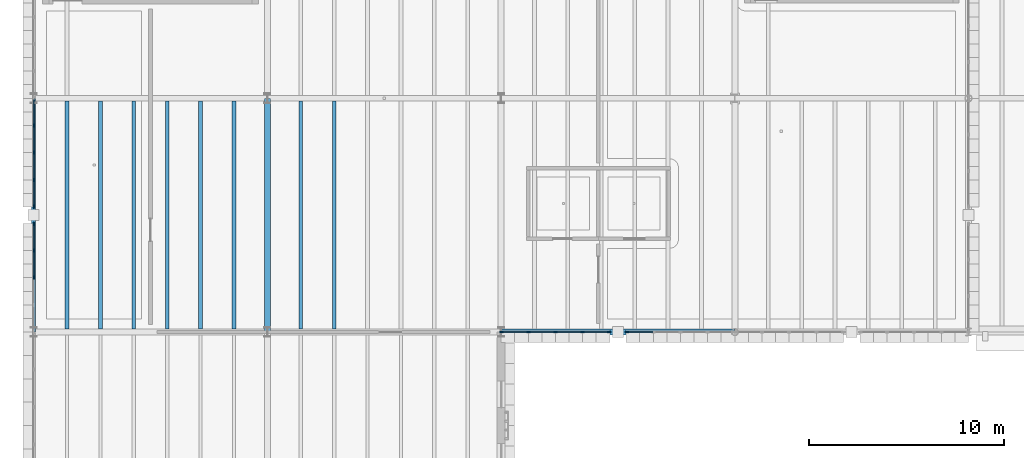
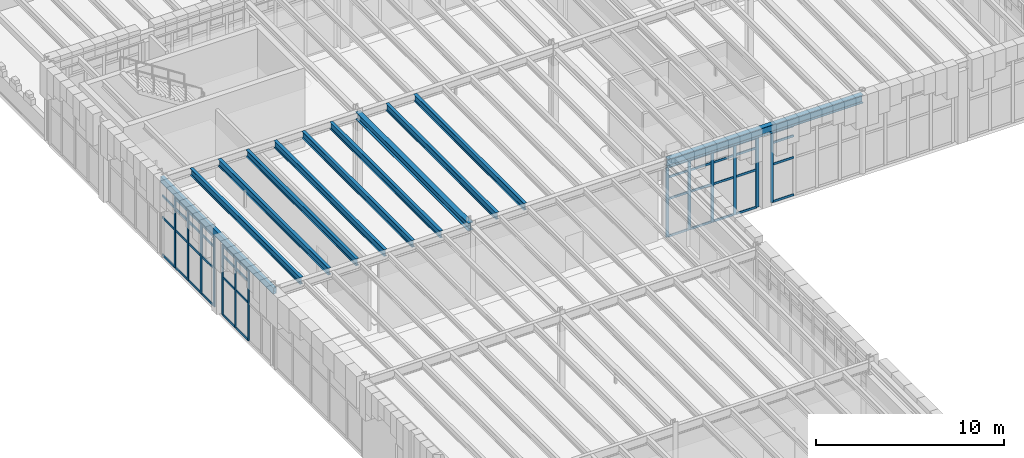
# One storey, part 18 of 100: 56 members, 11 beams, 4 elements without a shape of their own.
"""IFC4 building model written with IfcOpenShell, lengths in metres."""

from ifc_helpers import new_model, si_unit, direction, frame, origin, origin_2d, place, context, subcontext, project, spatial, rectangle, hollow_rectangle, i_section, extrude, material, layer, layer_set, material_profile, profile_set, type_object, element, aggregate, save


model = new_model("IFC4")

# Units and contexts
model_context = context("Model", 3, precision=1e-05, world=origin(), true_north=direction((0.0, 1.0)))
body_context = subcontext(model_context, "Body", "Model", "MODEL_VIEW")
ifc_project = project(units=[si_unit("LENGTHUNIT", "METRE"), si_unit("AREAUNIT", "SQUARE_METRE"), si_unit("VOLUMEUNIT", "CUBIC_METRE"), si_unit("PLANEANGLEUNIT", "RADIAN"), si_unit("MASSUNIT", "GRAM", prefix="KILO")], contexts=[model_context])

# Site, building, storey
site_placement = place(None, origin())
site = spatial("IfcSite", under=ifc_project, at=site_placement, CompositionType="ELEMENT")
building_placement = place(site_placement, origin())
building = spatial("IfcBuilding", under=site, at=building_placement, Name="Zlatogorsky Bluff Art Gallery", CompositionType="ELEMENT")
storey_placement = place(building_placement, frame((0.0, 0.0, 5.39990234375)))
storey = spatial("IfcBuildingStorey", under=building, at=storey_placement, Name="L01", CompositionType="ELEMENT", Elevation=5.39990234375)

# Beams
ifc_material_1 = material(Name="Steel S355", Category="steel")
ifc_material_profile_1 = material_profile(ifc_material_1, i_section(OverallWidth=0.300048828125, OverallDepth=0.5400390625, WebThickness=0.012451171875, FlangeThickness=0.02392578125, FilletRadius=0.027099609375, at=origin_2d()), Name="HEA 550")
ifc_profile_set_1 = profile_set([ifc_material_profile_1], Name="Steel S355")
beam_type_1 = type_object("IfcBeamType", Name="Beam BM-06 HEA 550", PredefinedType="BEAM", material=ifc_profile_set_1)
beam_1_placement = place(storey_placement, frame((24.014892578125, 84.0, 4.840087890625), z_axis=(1.0, 0.0, 0.0), x_axis=(0.0, 1.0, 0.0)))
element("IfcBeam", 1, at=beam_1_placement, inside=storey, type_object=beam_type_1, Name="Primary girder BM-06 L01 C-D/9", PredefinedType="BEAM", context=body_context, shape_type="SweptSolid", body=[
    extrude(i_section(OverallWidth=0.300048828125, OverallDepth=0.5400390625, WebThickness=0.012451171875, FlangeThickness=0.02392578125, FilletRadius=0.027099609375, at=origin_2d()), origin(), (0.0, 0.0, 1.0), 11.97021484375),
])
ifc_material_profile_2 = material_profile(ifc_material_1, i_section(OverallWidth=0.300048828125, OverallDepth=0.489990234375, WebThickness=0.011962890625, FlangeThickness=0.02294921875, FilletRadius=0.027099609375, at=origin_2d()), Name="HEA 500")
ifc_profile_set_2 = profile_set([ifc_material_profile_2], Name="Steel S355")
beam_type_2 = type_object("IfcBeamType", Name="Beam BM-07 HEA 500", PredefinedType="BEAM", material=ifc_profile_set_2)
beam_2_placement = place(storey_placement, frame((12.0, 84.014892578125, 4.864990234375), z_axis=(0.0, 1.0, 0.0), x_axis=(-1.0, 0.0, 0.0)))
element("IfcBeam", 2, at=beam_2_placement, inside=storey, type_object=beam_type_2, Name="Primary girder BM-07 L01 B/9-10", PredefinedType="BEAM", context=body_context, shape_type="SweptSolid", body=[
    extrude(i_section(OverallWidth=0.300048828125, OverallDepth=0.489990234375, WebThickness=0.011962890625, FlangeThickness=0.02294921875, FilletRadius=0.027099609375, at=origin_2d()), origin(), (0.0, 0.0, 1.0), 11.97021484375),
])
ifc_material_profile_3 = material_profile(ifc_material_1, i_section(OverallWidth=0.18994140625, OverallDepth=0.449951171875, WebThickness=0.009521484375, FlangeThickness=0.0146484375, FilletRadius=0.02099609375, at=origin_2d()), Name="IPE 450")
ifc_profile_set_3 = profile_set([ifc_material_profile_3], Name="Steel S355")
beam_type_3 = type_object("IfcBeamType", Name="Beam JS-06 IPE 450", PredefinedType="JOIST", material=ifc_profile_set_3)
for number, where, z_axis, x_axis, name in (
    (3, (1.71435546875, 84.14990234375, 4.885009765625), (0.0, 1.0, 0.0), (-1.0, 0.0, 0.0), "Composite floor joist JS-06 L01 00.08.1"),
    (4, (3.428466796875, 84.14990234375, 4.885009765625), (0.0, 1.0, 0.0), (-1.0, 0.0, 0.0), "Composite floor joist JS-06 L01 00.08.2"),
    (5, (5.142822265625, 84.14990234375, 4.885009765625), (0.0, 1.0, 0.0), (-1.0, 0.0, 0.0), "Composite floor joist JS-06 L01 00.08.3"),
    (6, (6.857177734375, 84.14990234375, 4.885009765625), (0.0, 1.0, 0.0), (-1.0, 0.0, 0.0), "Composite floor joist JS-06 L01 00.08.4"),
    (7, (8.571533203125, 84.14990234375, 4.885009765625), (0.0, 1.0, 0.0), (-1.0, 0.0, 0.0), "Composite floor joist JS-06 L01 00.08.5"),
    (8, (10.28564453125, 84.14990234375, 4.885009765625), (0.0, 1.0, 0.0), (-1.0, 0.0, 0.0), "Composite floor joist JS-06 L01 00.08.6"),
    (9, (13.71435546875, 84.14990234375, 4.885009765625), (0.0, 1.0, 0.0), (-1.0, 0.0, 0.0), "Composite floor joist JS-06 L01 01.08.1"),
    (10, (15.428466796875, 84.14990234375, 4.885009765625), (0.0, 1.0, 0.0), (-1.0, 0.0, 0.0), "Composite floor joist JS-06 L01 01.08.2"),
):
    element("IfcBeam", number, at=place(storey_placement, frame(where, z_axis=z_axis, x_axis=x_axis)), inside=storey, type_object=beam_type_3, Name=name, PredefinedType="JOIST", context=body_context, shape_type="SweptSolid", body=[
        extrude(i_section(OverallWidth=0.18994140625, OverallDepth=0.449951171875, WebThickness=0.009521484375, FlangeThickness=0.0146484375, FilletRadius=0.02099609375, at=origin_2d()), origin(), (0.0, 0.0, 1.0), 11.7001953125),
    ])
ifc_material_profile_4 = material_profile(ifc_material_1, hollow_rectangle(XDim=0.199951171875, YDim=0.39990234375, WallThickness=0.01611328125, at=origin_2d()), Name="RHS 400x200x16")
ifc_profile_set_4 = profile_set([ifc_material_profile_4], Name="Steel S355")
beam_type_4 = type_object("IfcBeamType", Name="Beam SP-02 RHS 400x200x16", PredefinedType="SPANDREL", material=ifc_profile_set_4)
beam_3_placement = place(storey_placement, frame((0.0, 84.014892578125, 4.91015625), z_axis=(0.0, 1.0, 0.0), x_axis=(-1.0, 0.0, 0.0)))
element("IfcBeam", 11, at=beam_3_placement, inside=storey, type_object=beam_type_4, Name="Primary girder SP-02 L01 A/9-10", PredefinedType="SPANDREL", context=body_context, shape_type="SweptSolid", body=[
    extrude(hollow_rectangle(XDim=0.199951171875, YDim=0.39990234375, WallThickness=0.01611328125, at=origin_2d()), origin(), (0.0, 0.0, 1.0), 11.97021484375),
])

# Curtain wall, members
ifc_material_2 = material(Name="Anodised Bronze Aluminium and Low-Iron Triple Glazing", Category="aluminium")
ifc_layer_1 = layer(ifc_material_2, 0.179931640625)
ifc_layer_set_1 = layer_set([ifc_layer_1], Name="Curtain Wall CW-01")
curtain_wall_type_1 = type_object("IfcCurtainWallType", Name="Curtain Wall CW-01", PredefinedType="USERDEFINED", material=ifc_layer_set_1)
curtain_wall_1_placement = place(storey_placement, origin())
curtain_wall_1 = element("IfcCurtainWall", 12, at=curtain_wall_1_placement, inside=storey, type_object=curtain_wall_type_1, Name="Unitised curtain wall CW-01 L01 W 0.8-A", ObjectType="CURTAIN WALL", PredefinedType="USERDEFINED")
ifc_material_3 = material(Name="Anodised Bronze Aluminium", Category="aluminium")
ifc_material_profile_5 = material_profile(ifc_material_3, rectangle(XDim=0.06494140625, YDim=0.179931640625, at=origin_2d()), Name="ALU MULLION 65x180")
ifc_profile_set_5 = profile_set([ifc_material_profile_5], Name="Anodised Bronze Aluminium")
member_type_1 = type_object("IfcMemberType", Name="Curtain Mullion ML-01", PredefinedType="MULLION", material=ifc_profile_set_5)
member_1_placement = place(storey_placement, frame((0.0, 94.60498046875, 0.0), z_axis=(0.0, 0.0, 1.0), x_axis=(1.0, 0.0, 0.0)))
member_1 = element("IfcMember", 13, at=member_1_placement, type_object=member_type_1, Name="CW-01 mullion 2", PredefinedType="MULLION", context=body_context, shape_type="SweptSolid", body=[
    extrude(rectangle(XDim=0.06494140625, YDim=0.179931640625, at=origin_2d()), origin(), (0.0, 0.0, 1.0), 4.530029296875),
])
member_2_placement = place(storey_placement, frame((0.0, 93.2099609375, 0.0), z_axis=(0.0, 0.0, 1.0), x_axis=(1.0, 0.0, 0.0)))
member_2 = element("IfcMember", 14, at=member_2_placement, type_object=member_type_1, Name="CW-01 mullion 3", PredefinedType="MULLION", context=body_context, shape_type="SweptSolid", body=[
    extrude(rectangle(XDim=0.06494140625, YDim=0.179931640625, at=origin_2d()), origin(), (0.0, 0.0, 1.0), 4.530029296875),
])
member_3_placement = place(storey_placement, frame((0.0, 91.81494140625, 0.0), z_axis=(0.0, 0.0, 1.0), x_axis=(1.0, 0.0, 0.0)))
member_3 = element("IfcMember", 15, at=member_3_placement, type_object=member_type_1, Name="CW-01 mullion 4", PredefinedType="MULLION", context=body_context, shape_type="SweptSolid", body=[
    extrude(rectangle(XDim=0.06494140625, YDim=0.179931640625, at=origin_2d()), origin(), (0.0, 0.0, 1.0), 4.530029296875),
])
member_4_placement = place(storey_placement, frame((0.0, 90.452392578125, 0.0), z_axis=(0.0, 0.0, 1.0), x_axis=(1.0, 0.0, 0.0)))
member_4 = element("IfcMember", 16, at=member_4_placement, type_object=member_type_1, Name="CW-01 mullion 5", PredefinedType="MULLION", context=body_context, shape_type="SweptSolid", body=[
    extrude(rectangle(XDim=0.06494140625, YDim=0.179931640625, at=origin_2d()), origin(), (0.0, 0.0, 1.0), 4.530029296875),
])

curtain_wall_2_placement = place(storey_placement, origin())
curtain_wall_2 = element("IfcCurtainWall", 17, at=curtain_wall_2_placement, inside=storey, type_object=curtain_wall_type_1, Name="Unitised curtain wall CW-01 L01 W 0.8-B", ObjectType="CURTAIN WALL", PredefinedType="USERDEFINED")
member_5_placement = place(storey_placement, frame((0.0, 89.547607421875, 0.0), z_axis=(0.0, 0.0, 1.0), x_axis=(1.0, 0.0, 0.0)))
member_5 = element("IfcMember", 18, at=member_5_placement, type_object=member_type_1, Name="CW-01 mullion 1", PredefinedType="MULLION", context=body_context, shape_type="SweptSolid", body=[
    extrude(rectangle(XDim=0.06494140625, YDim=0.179931640625, at=origin_2d()), origin(), (0.0, 0.0, 1.0), 4.530029296875),
])
member_6_placement = place(storey_placement, frame((0.0, 88.18505859375, 0.0), z_axis=(0.0, 0.0, 1.0), x_axis=(1.0, 0.0, 0.0)))
member_6 = element("IfcMember", 19, at=member_6_placement, type_object=member_type_1, Name="CW-01 mullion 2", PredefinedType="MULLION", context=body_context, shape_type="SweptSolid", body=[
    extrude(rectangle(XDim=0.06494140625, YDim=0.179931640625, at=origin_2d()), origin(), (0.0, 0.0, 1.0), 4.530029296875),
])
member_7_placement = place(storey_placement, frame((0.0, 86.7900390625, 0.0), z_axis=(0.0, 0.0, 1.0), x_axis=(1.0, 0.0, 0.0)))
member_7 = element("IfcMember", 20, at=member_7_placement, type_object=member_type_1, Name="CW-01 mullion 3", PredefinedType="MULLION", context=body_context, shape_type="SweptSolid", body=[
    extrude(rectangle(XDim=0.06494140625, YDim=0.179931640625, at=origin_2d()), origin(), (0.0, 0.0, 1.0), 4.530029296875),
])

ifc_layer_2 = layer(ifc_material_2, 0.199951171875)
ifc_layer_set_2 = layer_set([ifc_layer_2], Name="Curtain Wall CW-02")
curtain_wall_type_2 = type_object("IfcCurtainWallType", Name="Curtain Wall CW-02", PredefinedType="USERDEFINED", material=ifc_layer_set_2)
curtain_wall_3_placement = place(storey_placement, origin())
curtain_wall_3 = element("IfcCurtainWall", 21, at=curtain_wall_3_placement, inside=storey, type_object=curtain_wall_type_2, Name="Unitised curtain wall CW-02 L01 S 2.8-A", ObjectType="CURTAIN WALL", PredefinedType="USERDEFINED")
member_8_placement = place(storey_placement, frame((24.032470703125, 84.0, 0.0), z_axis=(0.0, 0.0, 1.0), x_axis=(0.0, 1.0, 0.0)))
member_8 = element("IfcMember", 22, at=member_8_placement, type_object=member_type_1, Name="CW-02 mullion 1", PredefinedType="MULLION", context=body_context, shape_type="SweptSolid", body=[
    extrude(rectangle(XDim=0.06494140625, YDim=0.179931640625, at=origin_2d()), origin(), (0.0, 0.0, 1.0), 4.530029296875),
])
member_9_placement = place(storey_placement, frame((25.39501953125, 84.0, 0.0), z_axis=(0.0, 0.0, 1.0), x_axis=(0.0, 1.0, 0.0)))
member_9 = element("IfcMember", 23, at=member_9_placement, type_object=member_type_1, Name="CW-02 mullion 2", PredefinedType="MULLION", context=body_context, shape_type="SweptSolid", body=[
    extrude(rectangle(XDim=0.06494140625, YDim=0.179931640625, at=origin_2d()), origin(), (0.0, 0.0, 1.0), 4.530029296875),
])
member_10_placement = place(storey_placement, frame((26.7900390625, 84.0, 0.0), z_axis=(0.0, 0.0, 1.0), x_axis=(0.0, 1.0, 0.0)))
member_10 = element("IfcMember", 24, at=member_10_placement, type_object=member_type_1, Name="CW-02 mullion 3", PredefinedType="MULLION", context=body_context, shape_type="SweptSolid", body=[
    extrude(rectangle(XDim=0.06494140625, YDim=0.179931640625, at=origin_2d()), origin(), (0.0, 0.0, 1.0), 4.530029296875),
])
member_11_placement = place(storey_placement, frame((28.18505859375, 84.0, 0.0), z_axis=(0.0, 0.0, 1.0), x_axis=(0.0, 1.0, 0.0)))
member_11 = element("IfcMember", 25, at=member_11_placement, type_object=member_type_1, Name="CW-02 mullion 4", PredefinedType="MULLION", context=body_context, shape_type="SweptSolid", body=[
    extrude(rectangle(XDim=0.06494140625, YDim=0.179931640625, at=origin_2d()), origin(), (0.0, 0.0, 1.0), 4.530029296875),
])
member_12_placement = place(storey_placement, frame((29.547607421875, 84.0, 0.0), z_axis=(0.0, 0.0, 1.0), x_axis=(0.0, 1.0, 0.0)))
member_12 = element("IfcMember", 26, at=member_12_placement, type_object=member_type_1, Name="CW-02 mullion 5", PredefinedType="MULLION", context=body_context, shape_type="SweptSolid", body=[
    extrude(rectangle(XDim=0.06494140625, YDim=0.179931640625, at=origin_2d()), origin(), (0.0, 0.0, 1.0), 4.530029296875),
])

# Curtain wall, member
curtain_wall_4_placement = place(storey_placement, origin())
curtain_wall_4 = element("IfcCurtainWall", 27, at=curtain_wall_4_placement, inside=storey, type_object=curtain_wall_type_2, Name="Unitised curtain wall CW-02 L01 S 2.8-B", ObjectType="CURTAIN WALL", PredefinedType="USERDEFINED")
member_13_placement = place(storey_placement, frame((30.452392578125, 84.0, 0.0), z_axis=(0.0, 0.0, 1.0), x_axis=(0.0, 1.0, 0.0)))
member_13 = element("IfcMember", 28, at=member_13_placement, type_object=member_type_1, Name="CW-02 mullion 1", PredefinedType="MULLION", context=body_context, shape_type="SweptSolid", body=[
    extrude(rectangle(XDim=0.06494140625, YDim=0.179931640625, at=origin_2d()), origin(), (0.0, 0.0, 1.0), 4.530029296875),
])

# Member
ifc_material_profile_6 = material_profile(ifc_material_3, rectangle(XDim=0.06494140625, YDim=0.139892578125, at=origin_2d()), Name="ALU TRANSOM 65x140")
ifc_profile_set_6 = profile_set([ifc_material_profile_6], Name="Anodised Bronze Aluminium")
member_type_2 = type_object("IfcMemberType", Name="Curtain Transom TR-01", PredefinedType="USERDEFINED", material=ifc_profile_set_6)
member_14_placement = place(storey_placement, frame((0.0, 95.93505859375, 0.03271484375), z_axis=(0.0, -1.0, 0.0), x_axis=(1.0, 0.0, 0.0)))
member_14 = element("IfcMember", 29, at=member_14_placement, type_object=member_type_2, Name="CW-01 transom 1.1", ObjectType="TRANSOM", PredefinedType="USERDEFINED", context=body_context, shape_type="SweptSolid", body=[
    extrude(rectangle(XDim=0.06494140625, YDim=0.139892578125, at=origin_2d()), origin(), (0.0, 0.0, 1.0), 1.297607421875),
])

member_15_placement = place(storey_placement, frame((0.0, 95.93505859375, 2.4501953125), z_axis=(0.0, -1.0, 0.0), x_axis=(1.0, 0.0, 0.0)))
member_15 = element("IfcMember", 30, at=member_15_placement, type_object=member_type_2, Name="CW-01 transom 1.2", ObjectType="TRANSOM", PredefinedType="USERDEFINED", context=body_context, shape_type="SweptSolid", body=[
    extrude(rectangle(XDim=0.06494140625, YDim=0.139892578125, at=origin_2d()), origin(), (0.0, 0.0, 1.0), 1.297607421875),
])

member_16_placement = place(storey_placement, frame((0.0, 95.93505859375, 3.85009765625), z_axis=(0.0, -1.0, 0.0), x_axis=(1.0, 0.0, 0.0)))
member_16 = element("IfcMember", 31, at=member_16_placement, type_object=member_type_2, Name="CW-01 transom 1.3", ObjectType="TRANSOM", PredefinedType="USERDEFINED", context=body_context, shape_type="SweptSolid", body=[
    extrude(rectangle(XDim=0.06494140625, YDim=0.139892578125, at=origin_2d()), origin(), (0.0, 0.0, 1.0), 1.297607421875),
])

member_17_placement = place(storey_placement, frame((0.0, 94.572509765625, 0.03271484375), z_axis=(0.0, -1.0, 0.0), x_axis=(1.0, 0.0, 0.0)))
member_17 = element("IfcMember", 32, at=member_17_placement, type_object=member_type_2, Name="CW-01 transom 2.1", ObjectType="TRANSOM", PredefinedType="USERDEFINED", context=body_context, shape_type="SweptSolid", body=[
    extrude(rectangle(XDim=0.06494140625, YDim=0.139892578125, at=origin_2d()), origin(), (0.0, 0.0, 1.0), 1.330078125),
])

member_18_placement = place(storey_placement, frame((0.0, 94.572509765625, 2.4501953125), z_axis=(0.0, -1.0, 0.0), x_axis=(1.0, 0.0, 0.0)))
member_18 = element("IfcMember", 33, at=member_18_placement, type_object=member_type_2, Name="CW-01 transom 2.2", ObjectType="TRANSOM", PredefinedType="USERDEFINED", context=body_context, shape_type="SweptSolid", body=[
    extrude(rectangle(XDim=0.06494140625, YDim=0.139892578125, at=origin_2d()), origin(), (0.0, 0.0, 1.0), 1.330078125),
])

member_19_placement = place(storey_placement, frame((0.0, 94.572509765625, 3.85009765625), z_axis=(0.0, -1.0, 0.0), x_axis=(1.0, 0.0, 0.0)))
member_19 = element("IfcMember", 34, at=member_19_placement, type_object=member_type_2, Name="CW-01 transom 2.3", ObjectType="TRANSOM", PredefinedType="USERDEFINED", context=body_context, shape_type="SweptSolid", body=[
    extrude(rectangle(XDim=0.06494140625, YDim=0.139892578125, at=origin_2d()), origin(), (0.0, 0.0, 1.0), 1.330078125),
])

member_20_placement = place(storey_placement, frame((0.0, 94.572509765625, 4.49755859375), z_axis=(0.0, -1.0, 0.0), x_axis=(1.0, 0.0, 0.0)))
member_20 = element("IfcMember", 35, at=member_20_placement, type_object=member_type_2, Name="CW-01 transom 2.4", ObjectType="TRANSOM", PredefinedType="USERDEFINED", context=body_context, shape_type="SweptSolid", body=[
    extrude(rectangle(XDim=0.06494140625, YDim=0.139892578125, at=origin_2d()), origin(), (0.0, 0.0, 1.0), 1.330078125),
])

member_21_placement = place(storey_placement, frame((0.0, 93.177490234375, 0.03271484375), z_axis=(0.0, -1.0, 0.0), x_axis=(1.0, 0.0, 0.0)))
member_21 = element("IfcMember", 36, at=member_21_placement, type_object=member_type_2, Name="CW-01 transom 3.1", ObjectType="TRANSOM", PredefinedType="USERDEFINED", context=body_context, shape_type="SweptSolid", body=[
    extrude(rectangle(XDim=0.06494140625, YDim=0.139892578125, at=origin_2d()), origin(), (0.0, 0.0, 1.0), 1.330078125),
])

member_22_placement = place(storey_placement, frame((0.0, 93.177490234375, 2.4501953125), z_axis=(0.0, -1.0, 0.0), x_axis=(1.0, 0.0, 0.0)))
member_22 = element("IfcMember", 37, at=member_22_placement, type_object=member_type_2, Name="CW-01 transom 3.2", ObjectType="TRANSOM", PredefinedType="USERDEFINED", context=body_context, shape_type="SweptSolid", body=[
    extrude(rectangle(XDim=0.06494140625, YDim=0.139892578125, at=origin_2d()), origin(), (0.0, 0.0, 1.0), 1.330078125),
])

member_23_placement = place(storey_placement, frame((0.0, 93.177490234375, 3.85009765625), z_axis=(0.0, -1.0, 0.0), x_axis=(1.0, 0.0, 0.0)))
member_23 = element("IfcMember", 38, at=member_23_placement, type_object=member_type_2, Name="CW-01 transom 3.3", ObjectType="TRANSOM", PredefinedType="USERDEFINED", context=body_context, shape_type="SweptSolid", body=[
    extrude(rectangle(XDim=0.06494140625, YDim=0.139892578125, at=origin_2d()), origin(), (0.0, 0.0, 1.0), 1.330078125),
])

member_24_placement = place(storey_placement, frame((0.0, 93.177490234375, 4.49755859375), z_axis=(0.0, -1.0, 0.0), x_axis=(1.0, 0.0, 0.0)))
member_24 = element("IfcMember", 39, at=member_24_placement, type_object=member_type_2, Name="CW-01 transom 3.4", ObjectType="TRANSOM", PredefinedType="USERDEFINED", context=body_context, shape_type="SweptSolid", body=[
    extrude(rectangle(XDim=0.06494140625, YDim=0.139892578125, at=origin_2d()), origin(), (0.0, 0.0, 1.0), 1.330078125),
])

member_25_placement = place(storey_placement, frame((0.0, 91.782470703125, 0.03271484375), z_axis=(0.0, -1.0, 0.0), x_axis=(1.0, 0.0, 0.0)))
member_25 = element("IfcMember", 40, at=member_25_placement, type_object=member_type_2, Name="CW-01 transom 4.1", ObjectType="TRANSOM", PredefinedType="USERDEFINED", context=body_context, shape_type="SweptSolid", body=[
    extrude(rectangle(XDim=0.06494140625, YDim=0.139892578125, at=origin_2d()), origin(), (0.0, 0.0, 1.0), 1.29736328125),
])

member_26_placement = place(storey_placement, frame((0.0, 91.782470703125, 2.4501953125), z_axis=(0.0, -1.0, 0.0), x_axis=(1.0, 0.0, 0.0)))
member_26 = element("IfcMember", 41, at=member_26_placement, type_object=member_type_2, Name="CW-01 transom 4.2", ObjectType="TRANSOM", PredefinedType="USERDEFINED", context=body_context, shape_type="SweptSolid", body=[
    extrude(rectangle(XDim=0.06494140625, YDim=0.139892578125, at=origin_2d()), origin(), (0.0, 0.0, 1.0), 1.29736328125),
])

member_27_placement = place(storey_placement, frame((0.0, 91.782470703125, 3.85009765625), z_axis=(0.0, -1.0, 0.0), x_axis=(1.0, 0.0, 0.0)))
member_27 = element("IfcMember", 42, at=member_27_placement, type_object=member_type_2, Name="CW-01 transom 4.3", ObjectType="TRANSOM", PredefinedType="USERDEFINED", context=body_context, shape_type="SweptSolid", body=[
    extrude(rectangle(XDim=0.06494140625, YDim=0.139892578125, at=origin_2d()), origin(), (0.0, 0.0, 1.0), 1.29736328125),
])

member_28_placement = place(storey_placement, frame((0.0, 91.782470703125, 4.49755859375), z_axis=(0.0, -1.0, 0.0), x_axis=(1.0, 0.0, 0.0)))
member_28 = element("IfcMember", 43, at=member_28_placement, type_object=member_type_2, Name="CW-01 transom 4.4", ObjectType="TRANSOM", PredefinedType="USERDEFINED", context=body_context, shape_type="SweptSolid", body=[
    extrude(rectangle(XDim=0.06494140625, YDim=0.139892578125, at=origin_2d()), origin(), (0.0, 0.0, 1.0), 1.29736328125),
])

aggregate(curtain_wall_1, [member_1, member_2, member_3, member_4, member_14, member_15, member_16, member_17, member_18, member_19, member_20, member_21, member_22, member_23, member_24, member_25, member_26, member_27, member_28])

member_29_placement = place(storey_placement, frame((0.0, 89.514892578125, 0.03271484375), z_axis=(0.0, -1.0, 0.0), x_axis=(1.0, 0.0, 0.0)))
member_29 = element("IfcMember", 44, at=member_29_placement, type_object=member_type_2, Name="CW-01 transom 1.1", ObjectType="TRANSOM", PredefinedType="USERDEFINED", context=body_context, shape_type="SweptSolid", body=[
    extrude(rectangle(XDim=0.06494140625, YDim=0.139892578125, at=origin_2d()), origin(), (0.0, 0.0, 1.0), 1.29736328125),
])

member_30_placement = place(storey_placement, frame((0.0, 89.514892578125, 2.4501953125), z_axis=(0.0, -1.0, 0.0), x_axis=(1.0, 0.0, 0.0)))
member_30 = element("IfcMember", 45, at=member_30_placement, type_object=member_type_2, Name="CW-01 transom 1.2", ObjectType="TRANSOM", PredefinedType="USERDEFINED", context=body_context, shape_type="SweptSolid", body=[
    extrude(rectangle(XDim=0.06494140625, YDim=0.139892578125, at=origin_2d()), origin(), (0.0, 0.0, 1.0), 1.29736328125),
])

member_31_placement = place(storey_placement, frame((0.0, 89.514892578125, 3.85009765625), z_axis=(0.0, -1.0, 0.0), x_axis=(1.0, 0.0, 0.0)))
member_31 = element("IfcMember", 46, at=member_31_placement, type_object=member_type_2, Name="CW-01 transom 1.3", ObjectType="TRANSOM", PredefinedType="USERDEFINED", context=body_context, shape_type="SweptSolid", body=[
    extrude(rectangle(XDim=0.06494140625, YDim=0.139892578125, at=origin_2d()), origin(), (0.0, 0.0, 1.0), 1.29736328125),
])

member_32_placement = place(storey_placement, frame((0.0, 89.514892578125, 4.49755859375), z_axis=(0.0, -1.0, 0.0), x_axis=(1.0, 0.0, 0.0)))
member_32 = element("IfcMember", 47, at=member_32_placement, type_object=member_type_2, Name="CW-01 transom 1.4", ObjectType="TRANSOM", PredefinedType="USERDEFINED", context=body_context, shape_type="SweptSolid", body=[
    extrude(rectangle(XDim=0.06494140625, YDim=0.139892578125, at=origin_2d()), origin(), (0.0, 0.0, 1.0), 1.29736328125),
])

member_33_placement = place(storey_placement, frame((0.0, 88.152587890625, 0.03271484375), z_axis=(0.0, -1.0, 0.0), x_axis=(1.0, 0.0, 0.0)))
member_33 = element("IfcMember", 48, at=member_33_placement, type_object=member_type_2, Name="CW-01 transom 2.1", ObjectType="TRANSOM", PredefinedType="USERDEFINED", context=body_context, shape_type="SweptSolid", body=[
    extrude(rectangle(XDim=0.06494140625, YDim=0.139892578125, at=origin_2d()), origin(), (0.0, 0.0, 1.0), 1.330078125),
])

member_34_placement = place(storey_placement, frame((0.0, 88.152587890625, 2.4501953125), z_axis=(0.0, -1.0, 0.0), x_axis=(1.0, 0.0, 0.0)))
member_34 = element("IfcMember", 49, at=member_34_placement, type_object=member_type_2, Name="CW-01 transom 2.2", ObjectType="TRANSOM", PredefinedType="USERDEFINED", context=body_context, shape_type="SweptSolid", body=[
    extrude(rectangle(XDim=0.06494140625, YDim=0.139892578125, at=origin_2d()), origin(), (0.0, 0.0, 1.0), 1.330078125),
])

member_35_placement = place(storey_placement, frame((0.0, 88.152587890625, 3.85009765625), z_axis=(0.0, -1.0, 0.0), x_axis=(1.0, 0.0, 0.0)))
member_35 = element("IfcMember", 50, at=member_35_placement, type_object=member_type_2, Name="CW-01 transom 2.3", ObjectType="TRANSOM", PredefinedType="USERDEFINED", context=body_context, shape_type="SweptSolid", body=[
    extrude(rectangle(XDim=0.06494140625, YDim=0.139892578125, at=origin_2d()), origin(), (0.0, 0.0, 1.0), 1.330078125),
])

member_36_placement = place(storey_placement, frame((0.0, 88.152587890625, 4.49755859375), z_axis=(0.0, -1.0, 0.0), x_axis=(1.0, 0.0, 0.0)))
member_36 = element("IfcMember", 51, at=member_36_placement, type_object=member_type_2, Name="CW-01 transom 2.4", ObjectType="TRANSOM", PredefinedType="USERDEFINED", context=body_context, shape_type="SweptSolid", body=[
    extrude(rectangle(XDim=0.06494140625, YDim=0.139892578125, at=origin_2d()), origin(), (0.0, 0.0, 1.0), 1.330078125),
])

aggregate(curtain_wall_2, [member_5, member_6, member_7, member_29, member_30, member_31, member_32, member_33, member_34, member_35, member_36])

member_37_placement = place(storey_placement, frame((24.06494140625, 84.0, 0.03271484375), z_axis=(1.0, 0.0, 0.0), x_axis=(0.0, 1.0, 0.0)))
member_37 = element("IfcMember", 52, at=member_37_placement, type_object=member_type_2, Name="CW-02 transom 1.1", ObjectType="TRANSOM", PredefinedType="USERDEFINED", context=body_context, shape_type="SweptSolid", body=[
    extrude(rectangle(XDim=0.06494140625, YDim=0.139892578125, at=origin_2d()), origin(), (0.0, 0.0, 1.0), 1.297607421875),
])

member_38_placement = place(storey_placement, frame((24.06494140625, 84.0, 2.4501953125), z_axis=(1.0, 0.0, 0.0), x_axis=(0.0, 1.0, 0.0)))
member_38 = element("IfcMember", 53, at=member_38_placement, type_object=member_type_2, Name="CW-02 transom 1.2", ObjectType="TRANSOM", PredefinedType="USERDEFINED", context=body_context, shape_type="SweptSolid", body=[
    extrude(rectangle(XDim=0.06494140625, YDim=0.139892578125, at=origin_2d()), origin(), (0.0, 0.0, 1.0), 1.297607421875),
])

member_39_placement = place(storey_placement, frame((24.06494140625, 84.0, 3.85009765625), z_axis=(1.0, 0.0, 0.0), x_axis=(0.0, 1.0, 0.0)))
member_39 = element("IfcMember", 54, at=member_39_placement, type_object=member_type_2, Name="CW-02 transom 1.3", ObjectType="TRANSOM", PredefinedType="USERDEFINED", context=body_context, shape_type="SweptSolid", body=[
    extrude(rectangle(XDim=0.06494140625, YDim=0.139892578125, at=origin_2d()), origin(), (0.0, 0.0, 1.0), 1.297607421875),
])

member_40_placement = place(storey_placement, frame((24.06494140625, 84.0, 4.49755859375), z_axis=(1.0, 0.0, 0.0), x_axis=(0.0, 1.0, 0.0)))
member_40 = element("IfcMember", 55, at=member_40_placement, type_object=member_type_2, Name="CW-02 transom 1.4", ObjectType="TRANSOM", PredefinedType="USERDEFINED", context=body_context, shape_type="SweptSolid", body=[
    extrude(rectangle(XDim=0.06494140625, YDim=0.139892578125, at=origin_2d()), origin(), (0.0, 0.0, 1.0), 1.297607421875),
])

member_41_placement = place(storey_placement, frame((25.427490234375, 84.0, 0.03271484375), z_axis=(1.0, 0.0, 0.0), x_axis=(0.0, 1.0, 0.0)))
member_41 = element("IfcMember", 56, at=member_41_placement, type_object=member_type_2, Name="CW-02 transom 2.1", ObjectType="TRANSOM", PredefinedType="USERDEFINED", context=body_context, shape_type="SweptSolid", body=[
    extrude(rectangle(XDim=0.06494140625, YDim=0.139892578125, at=origin_2d()), origin(), (0.0, 0.0, 1.0), 1.330078125),
])

member_42_placement = place(storey_placement, frame((25.427490234375, 84.0, 2.4501953125), z_axis=(1.0, 0.0, 0.0), x_axis=(0.0, 1.0, 0.0)))
member_42 = element("IfcMember", 57, at=member_42_placement, type_object=member_type_2, Name="CW-02 transom 2.2", ObjectType="TRANSOM", PredefinedType="USERDEFINED", context=body_context, shape_type="SweptSolid", body=[
    extrude(rectangle(XDim=0.06494140625, YDim=0.139892578125, at=origin_2d()), origin(), (0.0, 0.0, 1.0), 1.330078125),
])

member_43_placement = place(storey_placement, frame((25.427490234375, 84.0, 3.85009765625), z_axis=(1.0, 0.0, 0.0), x_axis=(0.0, 1.0, 0.0)))
member_43 = element("IfcMember", 58, at=member_43_placement, type_object=member_type_2, Name="CW-02 transom 2.3", ObjectType="TRANSOM", PredefinedType="USERDEFINED", context=body_context, shape_type="SweptSolid", body=[
    extrude(rectangle(XDim=0.06494140625, YDim=0.139892578125, at=origin_2d()), origin(), (0.0, 0.0, 1.0), 1.330078125),
])

member_44_placement = place(storey_placement, frame((25.427490234375, 84.0, 4.49755859375), z_axis=(1.0, 0.0, 0.0), x_axis=(0.0, 1.0, 0.0)))
member_44 = element("IfcMember", 59, at=member_44_placement, type_object=member_type_2, Name="CW-02 transom 2.4", ObjectType="TRANSOM", PredefinedType="USERDEFINED", context=body_context, shape_type="SweptSolid", body=[
    extrude(rectangle(XDim=0.06494140625, YDim=0.139892578125, at=origin_2d()), origin(), (0.0, 0.0, 1.0), 1.330078125),
])

member_45_placement = place(storey_placement, frame((26.822509765625, 84.0, 0.03271484375), z_axis=(1.0, 0.0, 0.0), x_axis=(0.0, 1.0, 0.0)))
member_45 = element("IfcMember", 60, at=member_45_placement, type_object=member_type_2, Name="CW-02 transom 3.1", ObjectType="TRANSOM", PredefinedType="USERDEFINED", context=body_context, shape_type="SweptSolid", body=[
    extrude(rectangle(XDim=0.06494140625, YDim=0.139892578125, at=origin_2d()), origin(), (0.0, 0.0, 1.0), 1.330078125),
])

member_46_placement = place(storey_placement, frame((26.822509765625, 84.0, 2.4501953125), z_axis=(1.0, 0.0, 0.0), x_axis=(0.0, 1.0, 0.0)))
member_46 = element("IfcMember", 61, at=member_46_placement, type_object=member_type_2, Name="CW-02 transom 3.2", ObjectType="TRANSOM", PredefinedType="USERDEFINED", context=body_context, shape_type="SweptSolid", body=[
    extrude(rectangle(XDim=0.06494140625, YDim=0.139892578125, at=origin_2d()), origin(), (0.0, 0.0, 1.0), 1.330078125),
])

member_47_placement = place(storey_placement, frame((26.822509765625, 84.0, 3.85009765625), z_axis=(1.0, 0.0, 0.0), x_axis=(0.0, 1.0, 0.0)))
member_47 = element("IfcMember", 62, at=member_47_placement, type_object=member_type_2, Name="CW-02 transom 3.3", ObjectType="TRANSOM", PredefinedType="USERDEFINED", context=body_context, shape_type="SweptSolid", body=[
    extrude(rectangle(XDim=0.06494140625, YDim=0.139892578125, at=origin_2d()), origin(), (0.0, 0.0, 1.0), 1.330078125),
])

member_48_placement = place(storey_placement, frame((26.822509765625, 84.0, 4.49755859375), z_axis=(1.0, 0.0, 0.0), x_axis=(0.0, 1.0, 0.0)))
member_48 = element("IfcMember", 63, at=member_48_placement, type_object=member_type_2, Name="CW-02 transom 3.4", ObjectType="TRANSOM", PredefinedType="USERDEFINED", context=body_context, shape_type="SweptSolid", body=[
    extrude(rectangle(XDim=0.06494140625, YDim=0.139892578125, at=origin_2d()), origin(), (0.0, 0.0, 1.0), 1.330078125),
])

member_49_placement = place(storey_placement, frame((28.217529296875, 84.0, 0.03271484375), z_axis=(1.0, 0.0, 0.0), x_axis=(0.0, 1.0, 0.0)))
member_49 = element("IfcMember", 64, at=member_49_placement, type_object=member_type_2, Name="CW-02 transom 4.1", ObjectType="TRANSOM", PredefinedType="USERDEFINED", context=body_context, shape_type="SweptSolid", body=[
    extrude(rectangle(XDim=0.06494140625, YDim=0.139892578125, at=origin_2d()), origin(), (0.0, 0.0, 1.0), 1.29736328125),
])

member_50_placement = place(storey_placement, frame((28.217529296875, 84.0, 2.4501953125), z_axis=(1.0, 0.0, 0.0), x_axis=(0.0, 1.0, 0.0)))
member_50 = element("IfcMember", 65, at=member_50_placement, type_object=member_type_2, Name="CW-02 transom 4.2", ObjectType="TRANSOM", PredefinedType="USERDEFINED", context=body_context, shape_type="SweptSolid", body=[
    extrude(rectangle(XDim=0.06494140625, YDim=0.139892578125, at=origin_2d()), origin(), (0.0, 0.0, 1.0), 1.29736328125),
])

member_51_placement = place(storey_placement, frame((28.217529296875, 84.0, 3.85009765625), z_axis=(1.0, 0.0, 0.0), x_axis=(0.0, 1.0, 0.0)))
member_51 = element("IfcMember", 66, at=member_51_placement, type_object=member_type_2, Name="CW-02 transom 4.3", ObjectType="TRANSOM", PredefinedType="USERDEFINED", context=body_context, shape_type="SweptSolid", body=[
    extrude(rectangle(XDim=0.06494140625, YDim=0.139892578125, at=origin_2d()), origin(), (0.0, 0.0, 1.0), 1.29736328125),
])

member_52_placement = place(storey_placement, frame((28.217529296875, 84.0, 4.49755859375), z_axis=(1.0, 0.0, 0.0), x_axis=(0.0, 1.0, 0.0)))
member_52 = element("IfcMember", 67, at=member_52_placement, type_object=member_type_2, Name="CW-02 transom 4.4", ObjectType="TRANSOM", PredefinedType="USERDEFINED", context=body_context, shape_type="SweptSolid", body=[
    extrude(rectangle(XDim=0.06494140625, YDim=0.139892578125, at=origin_2d()), origin(), (0.0, 0.0, 1.0), 1.29736328125),
])

aggregate(curtain_wall_3, [member_8, member_9, member_10, member_11, member_12, member_37, member_38, member_39, member_40, member_41, member_42, member_43, member_44, member_45, member_46, member_47, member_48, member_49, member_50, member_51, member_52])

member_53_placement = place(storey_placement, frame((30.485107421875, 84.0, 0.03271484375), z_axis=(1.0, 0.0, 0.0), x_axis=(0.0, 1.0, 0.0)))
member_53 = element("IfcMember", 68, at=member_53_placement, type_object=member_type_2, Name="CW-02 transom 1.1", ObjectType="TRANSOM", PredefinedType="USERDEFINED", context=body_context, shape_type="SweptSolid", body=[
    extrude(rectangle(XDim=0.06494140625, YDim=0.139892578125, at=origin_2d()), origin(), (0.0, 0.0, 1.0), 1.29736328125),
])

member_54_placement = place(storey_placement, frame((30.485107421875, 84.0, 2.4501953125), z_axis=(1.0, 0.0, 0.0), x_axis=(0.0, 1.0, 0.0)))
member_54 = element("IfcMember", 69, at=member_54_placement, type_object=member_type_2, Name="CW-02 transom 1.2", ObjectType="TRANSOM", PredefinedType="USERDEFINED", context=body_context, shape_type="SweptSolid", body=[
    extrude(rectangle(XDim=0.06494140625, YDim=0.139892578125, at=origin_2d()), origin(), (0.0, 0.0, 1.0), 1.29736328125),
])

member_55_placement = place(storey_placement, frame((30.485107421875, 84.0, 3.85009765625), z_axis=(1.0, 0.0, 0.0), x_axis=(0.0, 1.0, 0.0)))
member_55 = element("IfcMember", 70, at=member_55_placement, type_object=member_type_2, Name="CW-02 transom 1.3", ObjectType="TRANSOM", PredefinedType="USERDEFINED", context=body_context, shape_type="SweptSolid", body=[
    extrude(rectangle(XDim=0.06494140625, YDim=0.139892578125, at=origin_2d()), origin(), (0.0, 0.0, 1.0), 1.29736328125),
])

member_56_placement = place(storey_placement, frame((30.485107421875, 84.0, 4.49755859375), z_axis=(1.0, 0.0, 0.0), x_axis=(0.0, 1.0, 0.0)))
member_56 = element("IfcMember", 71, at=member_56_placement, type_object=member_type_2, Name="CW-02 transom 1.4", ObjectType="TRANSOM", PredefinedType="USERDEFINED", context=body_context, shape_type="SweptSolid", body=[
    extrude(rectangle(XDim=0.06494140625, YDim=0.139892578125, at=origin_2d()), origin(), (0.0, 0.0, 1.0), 1.29736328125),
])

aggregate(curtain_wall_4, [member_13, member_53, member_54, member_55, member_56])

save(model, "model.ifc")
